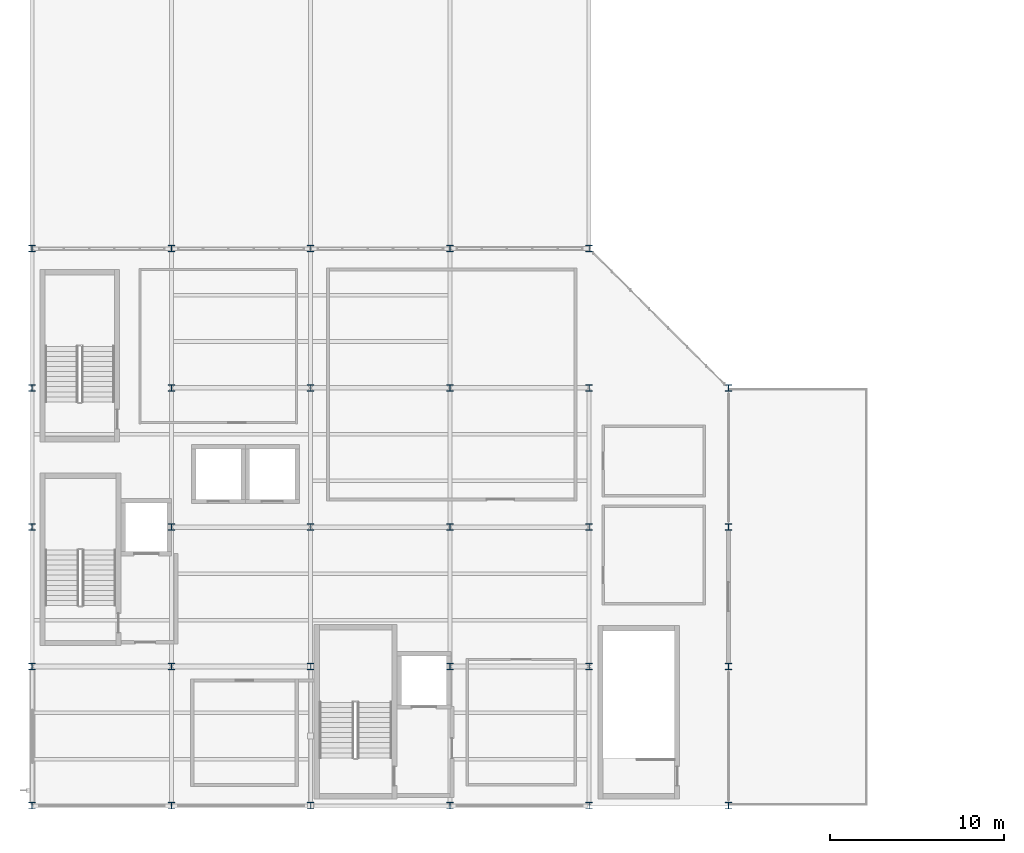
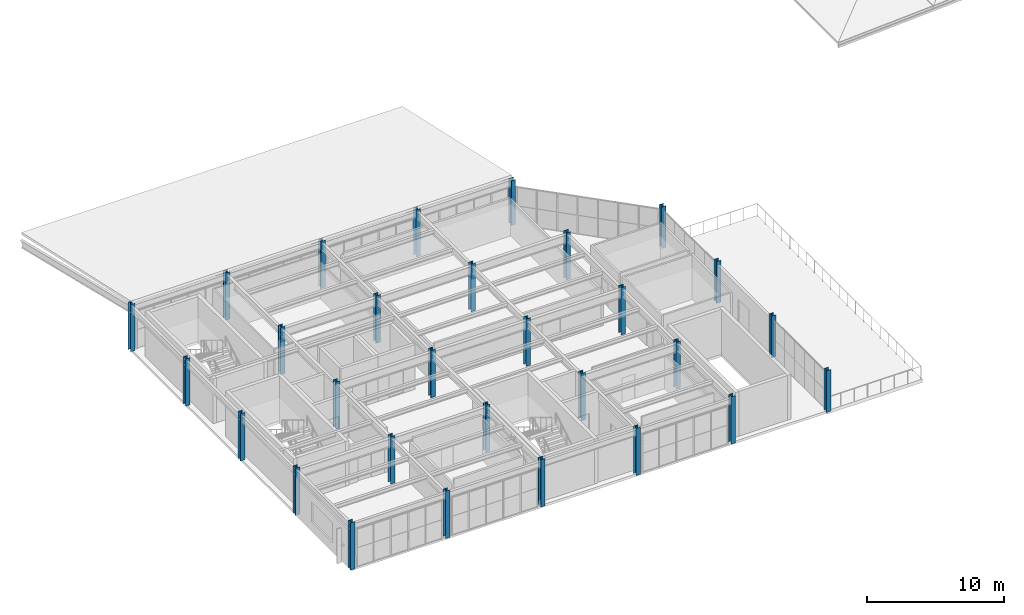
# One storey, part 1 of 27: 29 columns.
"""IFC4 building model written with IfcOpenShell, lengths in metres."""

from ifc_helpers import new_model, si_unit, direction, frame, origin, origin_2d, place, context, subcontext, project, spatial, i_section, extrude, material, material_profile, profile_set, type_object, element, save


model = new_model("IFC4")

# Units and contexts
model_context = context("Model", 3, precision=1e-05, world=origin(), true_north=direction((0.0, 1.0)))
body_context = subcontext(model_context, "Body", "Model", "MODEL_VIEW")
ifc_project = project(units=[si_unit("LENGTHUNIT", "METRE"), si_unit("AREAUNIT", "SQUARE_METRE"), si_unit("VOLUMEUNIT", "CUBIC_METRE"), si_unit("PLANEANGLEUNIT", "RADIAN"), si_unit("MASSUNIT", "GRAM", prefix="KILO")], contexts=[model_context])

# Site, building, storey
site_placement = place(None, origin())
site = spatial("IfcSite", under=ifc_project, at=site_placement, CompositionType="ELEMENT")
building_placement = place(site_placement, origin())
building = spatial("IfcBuilding", under=site, at=building_placement, Name="Drelvath Fold Interchange", CompositionType="ELEMENT")
storey_placement = place(building_placement, frame((0.0, 0.0, 19.800048828125)))
storey = spatial("IfcBuildingStorey", under=building, at=storey_placement, Name="L04", CompositionType="ELEMENT", Elevation=19.800048828125)

# Columns
ifc_material = material(Name="Steel ASTM A992 Grade 50", Category="steel")
ifc_material_profile = material_profile(ifc_material, i_section(OverallWidth=0.3740234375, OverallDepth=0.3720703125, WebThickness=0.016357421875, FlangeThickness=0.026123046875, at=origin_2d()), Name="W14X132")
ifc_profile_set = profile_set([ifc_material_profile], Name="Steel ASTM A992 Grade 50")
column_type = type_object("IfcColumnType", Name="COL-W14X132", PredefinedType="COLUMN", material=ifc_profile_set)
for number, where, z_axis, x_axis, name in (
    (1, (4.0, 3.0, 0.0), (0.0, 0.0, 1.0), (1.0, 0.0, 0.0), "L04 column (4,3)"),
    (2, (4.0, 11.0, 0.0), (0.0, 0.0, 1.0), (1.0, 0.0, 0.0), "L04 column (4,11)"),
    (3, (4.0, 19.0, 0.0), (0.0, 0.0, 1.0), (1.0, 0.0, 0.0), "L04 column (4,19)"),
    (4, (4.0, 27.0, 0.0), (0.0, 0.0, 1.0), (1.0, 0.0, 0.0), "L04 column (4,27)"),
    (5, (4.0, 35.0, 0.0), (0.0, 0.0, 1.0), (1.0, 0.0, 0.0), "L04 column (4,35)"),
    (6, (12.0, 3.0, 0.0), (0.0, 0.0, 1.0), (1.0, 0.0, 0.0), "L04 column (12,3)"),
    (7, (12.0, 11.0, 0.0), (0.0, 0.0, 1.0), (1.0, 0.0, 0.0), "L04 column (12,11)"),
    (8, (12.0, 19.0, 0.0), (0.0, 0.0, 1.0), (1.0, 0.0, 0.0), "L04 column (12,19)"),
    (9, (12.0, 27.0, 0.0), (0.0, 0.0, 1.0), (1.0, 0.0, 0.0), "L04 column (12,27)"),
    (10, (12.0, 35.0, 0.0), (0.0, 0.0, 1.0), (1.0, 0.0, 0.0), "L04 column (12,35)"),
    (11, (20.0, 3.0, 0.0), (0.0, 0.0, 1.0), (1.0, 0.0, 0.0), "L04 column (20,3)"),
    (12, (20.0, 11.0, 0.0), (0.0, 0.0, 1.0), (1.0, 0.0, 0.0), "L04 column (20,11)"),
    (13, (20.0, 19.0, 0.0), (0.0, 0.0, 1.0), (1.0, 0.0, 0.0), "L04 column (20,19)"),
    (14, (20.0, 27.0, 0.0), (0.0, 0.0, 1.0), (1.0, 0.0, 0.0), "L04 column (20,27)"),
    (15, (20.0, 35.0, 0.0), (0.0, 0.0, 1.0), (1.0, 0.0, 0.0), "L04 column (20,35)"),
    (16, (28.0, 3.0, 0.0), (0.0, 0.0, 1.0), (1.0, 0.0, 0.0), "L04 column (28,3)"),
    (17, (28.0, 11.0, 0.0), (0.0, 0.0, 1.0), (1.0, 0.0, 0.0), "L04 column (28,11)"),
    (18, (28.0, 19.0, 0.0), (0.0, 0.0, 1.0), (1.0, 0.0, 0.0), "L04 column (28,19)"),
    (19, (28.0, 27.0, 0.0), (0.0, 0.0, 1.0), (1.0, 0.0, 0.0), "L04 column (28,27)"),
    (20, (28.0, 35.0, 0.0), (0.0, 0.0, 1.0), (1.0, 0.0, 0.0), "L04 column (28,35)"),
    (21, (36.0, 3.0, 0.0), (0.0, 0.0, 1.0), (1.0, 0.0, 0.0), "L04 column (36,3)"),
    (22, (36.0, 11.0, 0.0), (0.0, 0.0, 1.0), (1.0, 0.0, 0.0), "L04 column (36,11)"),
    (23, (36.0, 19.0, 0.0), (0.0, 0.0, 1.0), (1.0, 0.0, 0.0), "L04 column (36,19)"),
    (24, (36.0, 27.0, 0.0), (0.0, 0.0, 1.0), (1.0, 0.0, 0.0), "L04 column (36,27)"),
):
    element("IfcColumn", number, at=place(storey_placement, frame(where, z_axis=z_axis, x_axis=x_axis)), inside=storey, type_object=column_type, Name=name, PredefinedType="COLUMN", context=body_context, shape_type="SweptSolid", body=[
        extrude(i_section(OverallWidth=0.3740234375, OverallDepth=0.3720703125, WebThickness=0.016357421875, FlangeThickness=0.026123046875, at=origin_2d()), origin(), (0.0, 0.0, 1.0), 4.199951171875),
    ])
column_placement = place(storey_placement, frame((36.0, 35.0, 0.0), z_axis=(0.0, 0.0, 1.0), x_axis=(1.0, 0.0, 0.0)))
element("IfcColumn", 25, at=column_placement, inside=storey, type_object=column_type, Name="L04 column (36,35)", PredefinedType="COLUMN", context=body_context, shape_type="SweptSolid", body=[
    extrude(i_section(OverallWidth=0.3740234375, OverallDepth=0.3720703125, WebThickness=0.016357421875, FlangeThickness=0.026123046875, at=origin_2d()), origin(), (0.0, 0.0, 1.0), 3.98486328125),
])
for number, where, z_axis, x_axis, name in (
    (26, (44.0, 3.0, 0.0), (0.0, 0.0, 1.0), (1.0, 0.0, 0.0), "L04 column (44,3)"),
    (27, (44.0, 11.0, 0.0), (0.0, 0.0, 1.0), (1.0, 0.0, 0.0), "L04 column (44,11)"),
    (28, (44.0, 19.0, 0.0), (0.0, 0.0, 1.0), (1.0, 0.0, 0.0), "L04 column (44,19)"),
    (29, (44.0, 27.0, 0.0), (0.0, 0.0, 1.0), (1.0, 0.0, 0.0), "L04 column (44,27)"),
):
    element("IfcColumn", number, at=place(storey_placement, frame(where, z_axis=z_axis, x_axis=x_axis)), inside=storey, type_object=column_type, Name=name, PredefinedType="COLUMN", context=body_context, shape_type="SweptSolid", body=[
        extrude(i_section(OverallWidth=0.3740234375, OverallDepth=0.3720703125, WebThickness=0.016357421875, FlangeThickness=0.026123046875, at=origin_2d()), origin(), (0.0, 0.0, 1.0), 3.699951171875),
    ])

save(model, "model.ifc")
